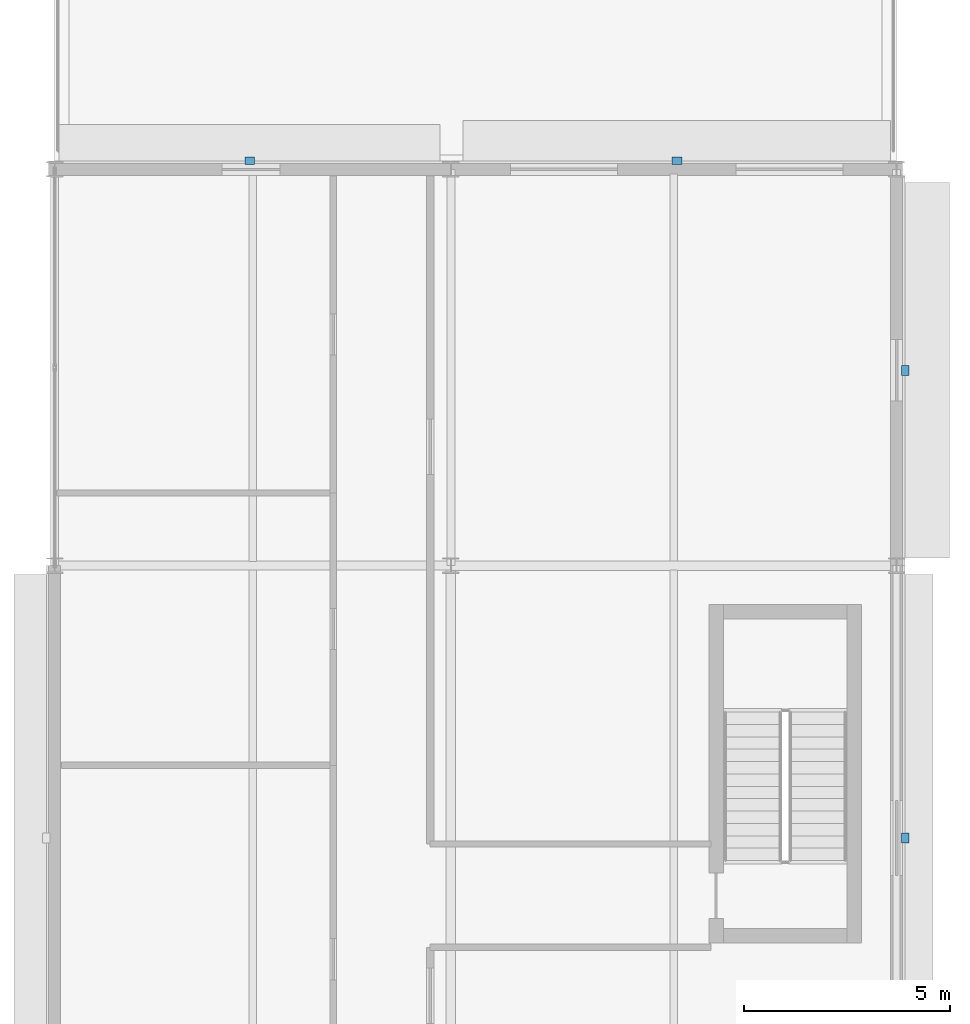
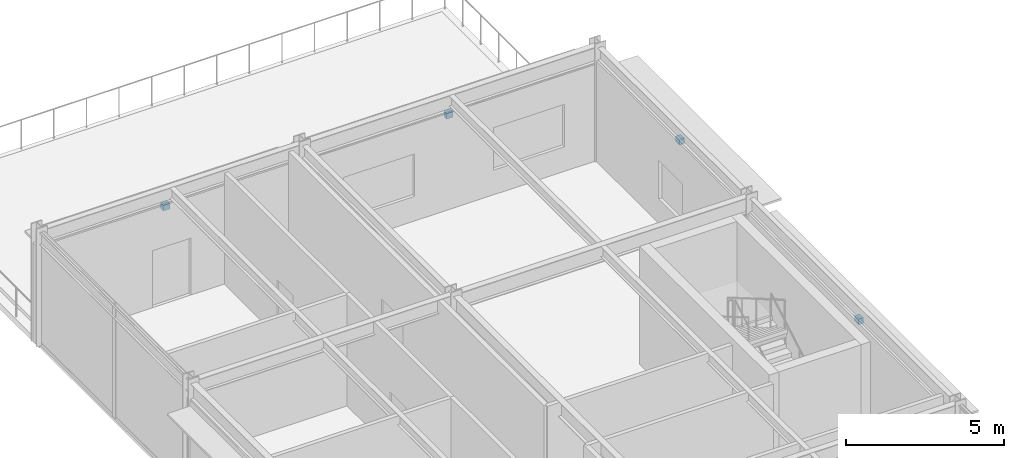
# One storey, part 115 of 133: 4 discrete accessories.
"""IFC4 building model written with IfcOpenShell, lengths in metres."""

import ifcopenshell
import ifcopenshell.guid

model = None  # the IFC model being written
_history = None  # IfcOwnerHistory: only IFC2X3 demands one
_inside = {}  # id of a spatial element -> (the spatial element, [elements in it])
_under = {}  # id of a project, library or spatial element -> (it, [spatial elements below it])
_declared = {}  # id of a project -> (the project, [libraries it declares])
_typed = {}  # id of a type object -> (the type object, [elements of that type])
_made_of = {}  # id of a material, layer set ... -> (it, [elements and type objects made of it])


def new_model(schema):
    """Start an empty IFC model of exactly this schema.

    Asked for "IFC4X3", IfcOpenShell would pick the latest addendum, in which some entities
    have other attributes; the version numbers below select the first issue.
    IFC2X3 requires an IfcOwnerHistory on every rooted entity: one is made here for all.
    """
    global model, _history
    if schema == "IFC4X3":
        model = ifcopenshell.file(schema_version=(4, 3, 0, 0))
    else:
        model = ifcopenshell.file(schema=schema)
    _inside.clear()
    _under.clear()
    _declared.clear()
    _typed.clear()
    _made_of.clear()
    _history = None
    if model.schema == "IFC2X3":
        org = make("IfcOrganization", Name="unknown")
        user = make(
            "IfcPersonAndOrganization",
            ThePerson=make("IfcPerson", FamilyName="unknown"),
            TheOrganization=org,
        )
        app = make(
            "IfcApplication",
            ApplicationDeveloper=org,
            Version="unknown",
            ApplicationFullName="unknown",
            ApplicationIdentifier="unknown",
        )
        _history = make(
            "IfcOwnerHistory",
            OwningUser=user,
            OwningApplication=app,
            ChangeAction="ADDED",
            CreationDate=0,
        )
    return model


def make(cls, **values):
    """One entity of the class cls with the attributes given. An attribute that is None is left unset."""
    return model.create_entity(
        cls, **{name: value for name, value in values.items() if value is not None}
    )


def rooted(cls, **values):
    """An entity with a GlobalId (a new one), such as an element, a storey or a relation."""
    return make(cls, GlobalId=ifcopenshell.guid.new(), OwnerHistory=_history, **values)


def si_unit(unit_type, name, prefix=None):
    """IfcSIUnit, for example si_unit("LENGTHUNIT", "METRE", prefix="MILLI")."""
    return make("IfcSIUnit", UnitType=unit_type, Prefix=prefix, Name=name)


def assignment(units):
    """IfcUnitAssignment: the units of a project."""
    return None if units is None else make("IfcUnitAssignment", Units=units)


def point(xyz):
    """IfcCartesianPoint."""
    return None if xyz is None else make("IfcCartesianPoint", Coordinates=xyz)


def direction(xyz):
    """IfcDirection."""
    return None if xyz is None else make("IfcDirection", DirectionRatios=xyz)


def frame(location, z_axis=None, x_axis=None):
    """IfcAxis2Placement3D, a coordinate frame: its origin and axes. An axis left out is left unset."""
    return make(
        "IfcAxis2Placement3D",
        Location=point(location),
        Axis=direction(z_axis),
        RefDirection=direction(x_axis),
    )


def frame_2d(location, x_axis=None):
    """IfcAxis2Placement2D, a coordinate frame in the plane: its origin and x axis."""
    return make(
        "IfcAxis2Placement2D", Location=point(location), RefDirection=direction(x_axis)
    )


def origin():
    """The frame at (0, 0, 0) with its axes left unset."""
    return frame((0.0, 0.0, 0.0))


def origin_2d():
    """The frame at (0, 0) in the plane with its x axis left unset."""
    return frame_2d((0.0, 0.0))


def place(relative_to, where):
    """IfcLocalPlacement: puts the frame where relative to a parent placement (None: the world)."""
    return make(
        "IfcLocalPlacement", PlacementRelTo=relative_to, RelativePlacement=where
    )


def context(
    kind, dimensions, precision=None, world=None, true_north=None, identifier=None
):
    """IfcGeometricRepresentationContext, for example the 3D "Model" context."""
    return make(
        "IfcGeometricRepresentationContext",
        ContextIdentifier=identifier,
        ContextType=kind,
        CoordinateSpaceDimension=dimensions,
        Precision=precision,
        WorldCoordinateSystem=world,
        TrueNorth=true_north,
    )


def subcontext(parent, identifier, kind, view, scale=None):
    """IfcGeometricRepresentationSubContext, for example "Body" below "Model"."""
    return make(
        "IfcGeometricRepresentationSubContext",
        ContextIdentifier=identifier,
        ContextType=kind,
        ParentContext=parent,
        TargetScale=scale,
        TargetView=view,
    )


def project(units=None, contexts=None):
    """IfcProject with its units and contexts."""
    return rooted(
        "IfcProject",
        Name="project",
        RepresentationContexts=contexts,
        UnitsInContext=assignment(units),
    )


def spatial(cls, under=None, at=None, **own):
    """A site, building, storey or space (cls), placed at a placement, below another one or the project."""
    s = rooted(cls, ObjectPlacement=at, **own)
    if under is not None:
        _under.setdefault(under.id(), (under, []))[1].append(s)
    return s


def profile(cls, at=None, kind="AREA", **sizes):
    """A parametric profile (cls). Its sizes go by their IFC names, for example OverallWidth=200.0."""
    return make(cls, ProfileType=kind, Position=at, **sizes)


def rectangle(**sizes):
    """IfcRectangleProfileDef."""
    return profile("IfcRectangleProfileDef", **sizes)


def extrude(swept, where, along, depth):
    """IfcExtrudedAreaSolid: the profile swept, set in the frame where, extruded along a direction by depth."""
    return make(
        "IfcExtrudedAreaSolid",
        SweptArea=swept,
        Position=where,
        ExtrudedDirection=direction(along),
        Depth=depth,
    )


def shape(context_of_items, identifier, shape_type, items):
    """IfcShapeRepresentation: the items that make up one representation, for example the "Body"."""
    return make(
        "IfcShapeRepresentation",
        ContextOfItems=context_of_items,
        RepresentationIdentifier=identifier,
        RepresentationType=shape_type,
        Items=items,
    )


def material(Name=None, Category=None):
    """IfcMaterial."""
    return make("IfcMaterial", Name=Name, Category=Category)


def layer(
    of_material, thickness, ventilated=None, Name=None, Category=None, Priority=None
):
    """IfcMaterialLayer: one layer of a wall or slab, of a material (None: an air gap)."""
    return make(
        "IfcMaterialLayer",
        Material=of_material,
        LayerThickness=thickness,
        IsVentilated=ventilated,
        Name=Name,
        Category=Category,
        Priority=Priority,
    )


def layer_set(layers, Name=None):
    """IfcMaterialLayerSet."""
    return make("IfcMaterialLayerSet", MaterialLayers=layers, LayerSetName=Name)


def made_of(thing, what):
    """Note that an element or type object is made of a material, layer set ...; save() writes the relation."""
    if what is not None:
        _made_of.setdefault(what.id(), (what, []))[1].append(thing)
    return thing


def type_object(cls, material=None, **own):
    """A type object (cls), such as IfcWallType, which elements share."""
    return made_of(rooted(cls, **own), material)


def element(
    cls,
    number,
    at=None,
    inside=None,
    cuts=None,
    type_object=None,
    material=None,
    context=None,
    identifier="Body",
    shape_type=None,
    held_by="IfcProductDefinitionShape",
    body=None,
    shapes=None,
    **own,
):
    """One element of the class cls, such as IfcWall. Its Tag is "e" and its number.

    at: its placement. inside: the storey or other place that contains it. cuts: it is an
    opening in that element (IfcRelVoidsElement). A single representation is given by context,
    identifier, shape_type and body (its items); several are given by shapes. held_by: the class
    of the entity that holds the representations. save() writes the other relations.
    """
    e = rooted(cls, Tag="e%d" % number, ObjectPlacement=at, **own)
    if body is not None:
        shapes = [shape(context, identifier, shape_type, body)]
    if shapes is not None:
        e.Representation = make(held_by, Representations=shapes)
    if inside is not None:
        _inside.setdefault(inside.id(), (inside, []))[1].append(e)
    if cuts is not None:
        rooted(
            "IfcRelVoidsElement", RelatingBuildingElement=cuts, RelatedOpeningElement=e
        )
    if type_object is not None:
        _typed.setdefault(type_object.id(), (type_object, []))[1].append(e)
    return made_of(e, material)


def aggregate(whole, parts):
    """IfcRelAggregates: a whole, such as a stair, and the parts it consists of."""
    return rooted("IfcRelAggregates", RelatingObject=whole, RelatedObjects=parts)


def save(model, path):
    """Write the relations noted so far, then the file.

    IfcRelAggregates (storeys below a building ...), IfcRelContainedInSpatialStructure (elements
    in a storey), IfcRelDefinesByType, IfcRelAssociatesMaterial and IfcRelDeclares: one each for
    every whole, place, type object, material and project.
    """
    for whole, parts in _under.values():
        aggregate(whole, parts)
    for where, things in _inside.values():
        rooted(
            "IfcRelContainedInSpatialStructure",
            RelatedElements=things,
            RelatingStructure=where,
        )
    for kind, things in _typed.values():
        rooted("IfcRelDefinesByType", RelatedObjects=things, RelatingType=kind)
    for what, things in _made_of.values():
        rooted("IfcRelAssociatesMaterial", RelatedObjects=things, RelatingMaterial=what)
    for by, libraries in _declared.values():
        rooted("IfcRelDeclares", RelatingContext=by, RelatedDefinitions=libraries)
    model.write(path)


model = new_model("IFC4")

# Units and contexts
model_context = context("Model", 3, precision=1e-05, world=origin(), true_north=direction((0.0, 1.0)))
body_context = subcontext(model_context, "Body", "Model", "MODEL_VIEW")
ifc_project = project(units=[si_unit("LENGTHUNIT", "METRE"), si_unit("AREAUNIT", "SQUARE_METRE"), si_unit("VOLUMEUNIT", "CUBIC_METRE"), si_unit("PLANEANGLEUNIT", "RADIAN"), si_unit("MASSUNIT", "GRAM", prefix="KILO")], contexts=[model_context])

# Site, building, storey
site_placement = place(None, origin())
site = spatial("IfcSite", under=ifc_project, at=site_placement, CompositionType="ELEMENT")
building_placement = place(site_placement, origin())
building = spatial("IfcBuilding", under=site, at=building_placement, Name="Almandine Court Research Institute", CompositionType="ELEMENT")
storey_placement = place(building_placement, frame((0.0, 0.0, 9.800048828125)))
storey = spatial("IfcBuildingStorey", under=building, at=storey_placement, Name="L02", CompositionType="ELEMENT", Elevation=9.800048828125)

# Discrete accessories
ifc_material = material(Name="Galvanised Steel Facade Outrigger Bracket", Category="steel")
ifc_layer = layer(ifc_material, 0.219970703125)
ifc_layer_set = layer_set([ifc_layer], Name="Galvanised Steel Facade Outrigger Bracket")
discrete_accessory_type = type_object("IfcDiscreteAccessoryType", Name="Acc-CHJ-BRACKET", PredefinedType="BRACKET", material=ifc_layer_set)
for number, where, z_axis, x_axis, name in (
    (1, (158.325927734375, 93.804931640625, 3.380859375), (0.0, 0.0, 1.0), (1.0, 0.0, 0.0), "L02 Chhajja Outrigger Bracket 94"),
    (2, (168.675048828125, 93.804931640625, 3.302734375), (0.0, 0.0, 1.0), (1.0, 0.0, 0.0), "L02 Chhajja Outrigger Bracket 95"),
    (3, (174.205078125, 88.72705078125, 3.4541015625), (0.0, 0.0, 1.0), (0.0, -1.0, 0.0), "L02 Chhajja Outrigger Bracket 96"),
    (4, (174.205078125, 77.39990234375, 3.3837890625), (0.0, 0.0, 1.0), (0.0, -1.0, 0.0), "L02 Chhajja Outrigger Bracket 97"),
):
    element("IfcDiscreteAccessory", number, at=place(storey_placement, frame(where, z_axis=z_axis, x_axis=x_axis)), inside=storey, type_object=discrete_accessory_type, Name=name, PredefinedType="BRACKET", context=body_context, shape_type="SweptSolid", body=[
        extrude(rectangle(XDim=0.239990234375, YDim=0.179931640625, at=origin_2d()), origin(), (0.0, 0.0, 1.0), 0.219970703125),
    ])

save(model, "model.ifc")
